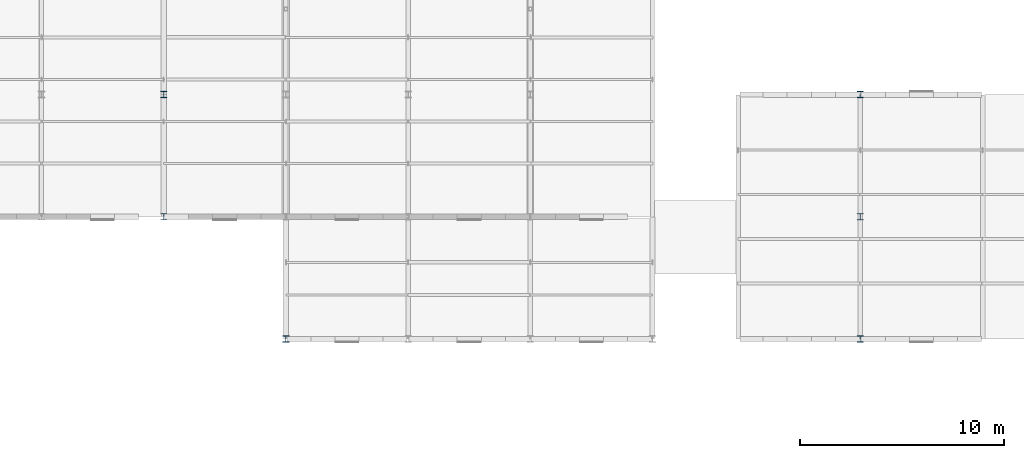
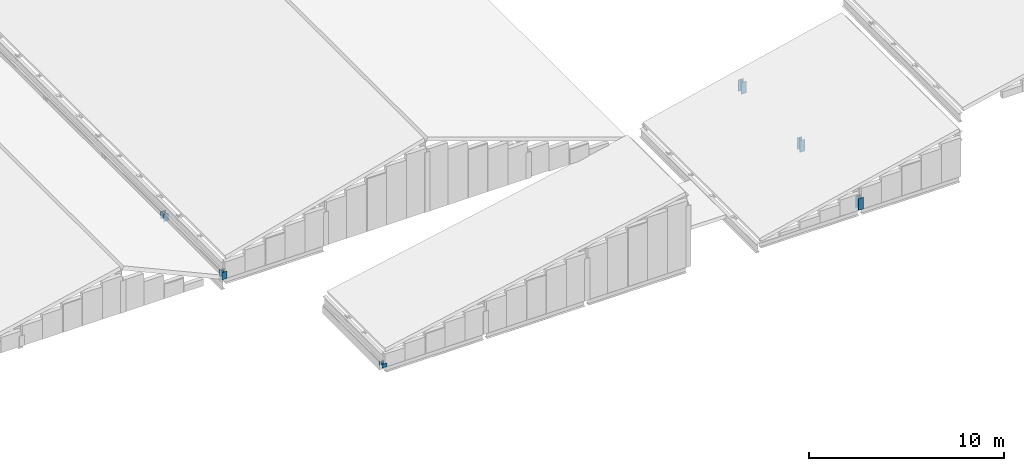
# One storey, part 28 of 74: 6 members.
"""IFC4 building model written with IfcOpenShell, lengths in metres."""

from ifc_helpers import new_model, si_unit, direction, frame, origin, origin_2d, place, context, subcontext, project, spatial, i_section, extrude, material, material_profile, profile_set, type_object, element, save


model = new_model("IFC4")

# Units and contexts
model_context = context("Model", 3, precision=1e-05, world=origin(), true_north=direction((0.0, 1.0)))
body_context = subcontext(model_context, "Body", "Model", "MODEL_VIEW")
ifc_project = project(units=[si_unit("LENGTHUNIT", "METRE"), si_unit("AREAUNIT", "SQUARE_METRE"), si_unit("VOLUMEUNIT", "CUBIC_METRE"), si_unit("PLANEANGLEUNIT", "RADIAN"), si_unit("MASSUNIT", "GRAM", prefix="KILO")], contexts=[model_context])

# Site, building, storey
site_placement = place(None, origin())
site = spatial("IfcSite", under=ifc_project, at=site_placement, CompositionType="ELEMENT")
building_placement = place(site_placement, origin())
building = spatial("IfcBuilding", under=site, at=building_placement, Name="Siltcreek Boulevard Central Fire Station", CompositionType="ELEMENT")
storey_placement = place(building_placement, frame((0.0, 0.0, 25.199951171875)))
storey = spatial("IfcBuildingStorey", under=building, at=storey_placement, Name="RF", CompositionType="ELEMENT", Elevation=25.199951171875)

# Members
ifc_material = material(Name="Structural steel ASTM A992 Gr50", Category="steel")
ifc_material_profile = material_profile(ifc_material, i_section(OverallWidth=0.304931640625, OverallDepth=0.30810546875, WebThickness=0.010009765625, FlangeThickness=0.015380859375, at=origin_2d()), Name="W310X97")
ifc_profile_set = profile_set([ifc_material_profile], Name="Structural steel ASTM A992 Gr50")
member_type = type_object("IfcMemberType", Name="CH_W310X97", PredefinedType="CHORD", material=ifc_profile_set)
for number, where, z_axis, x_axis, name in (
    (1, (84.0, 24.0, -11.199951171875), (0.0, 0.0, 1.0), (1.0, 0.0, 0.0), "Roof bearing truss post 0731"),
    (2, (84.0, 30.0, -11.199951171875), (0.0, 0.0, 1.0), (1.0, 0.0, 0.0), "Roof bearing truss post 0732"),
):
    element("IfcMember", number, at=place(storey_placement, frame(where, z_axis=z_axis, x_axis=x_axis)), inside=storey, type_object=member_type, Name=name, PredefinedType="CHORD", context=body_context, shape_type="SweptSolid", body=[
        extrude(i_section(OverallWidth=0.304931640625, OverallDepth=0.30810546875, WebThickness=0.010009765625, FlangeThickness=0.015380859375, at=origin_2d()), origin(), (0.0, 0.0, 1.0), 0.453125),
    ])
member_placement = place(storey_placement, frame((90.0, 18.0, -15.199951171875), z_axis=(0.0, 0.0, 1.0), x_axis=(1.0, 0.0, 0.0)))
element("IfcMember", 3, at=member_placement, inside=storey, type_object=member_type, Name="Roof bearing truss post 0737", PredefinedType="CHORD", context=body_context, shape_type="SweptSolid", body=[
    extrude(i_section(OverallWidth=0.304931640625, OverallDepth=0.30810546875, WebThickness=0.010009765625, FlangeThickness=0.015380859375, at=origin_2d()), origin(), (0.0, 0.0, 1.0), 0.2373046875),
])
for number, where, z_axis, x_axis, name in (
    (4, (118.199951171875, 18.0, -15.199951171875), (0.0, 0.0, 1.0), (1.0, 0.0, 0.0), "Roof bearing truss post 0759"),
    (5, (118.199951171875, 24.0, -15.199951171875), (0.0, 0.0, 1.0), (1.0, 0.0, 0.0), "Roof bearing truss post 0760"),
    (6, (118.199951171875, 30.0, -15.199951171875), (0.0, 0.0, 1.0), (1.0, 0.0, 0.0), "Roof bearing truss post 0761"),
):
    element("IfcMember", number, at=place(storey_placement, frame(where, z_axis=z_axis, x_axis=x_axis)), inside=storey, type_object=member_type, Name=name, PredefinedType="CHORD", context=body_context, shape_type="SweptSolid", body=[
        extrude(i_section(OverallWidth=0.304931640625, OverallDepth=0.30810546875, WebThickness=0.010009765625, FlangeThickness=0.015380859375, at=origin_2d()), origin(), (0.0, 0.0, 1.0), 0.7314453125),
    ])

save(model, "model.ifc")
